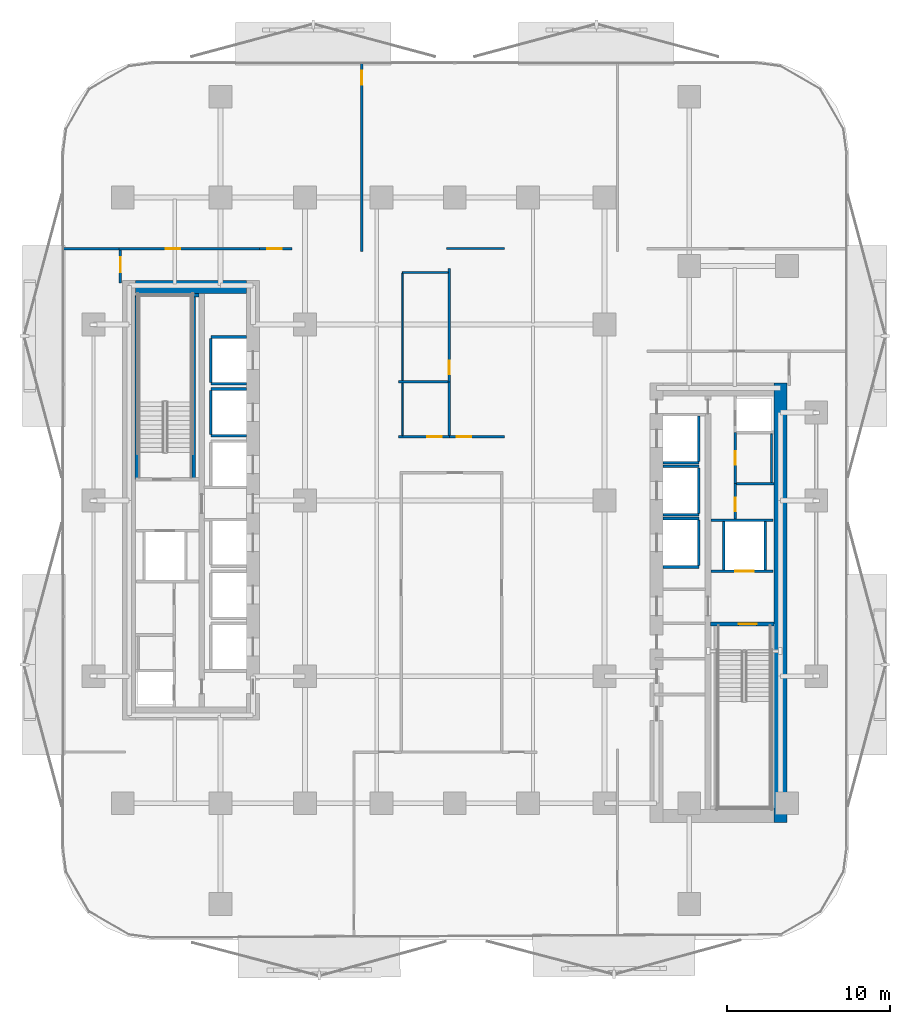
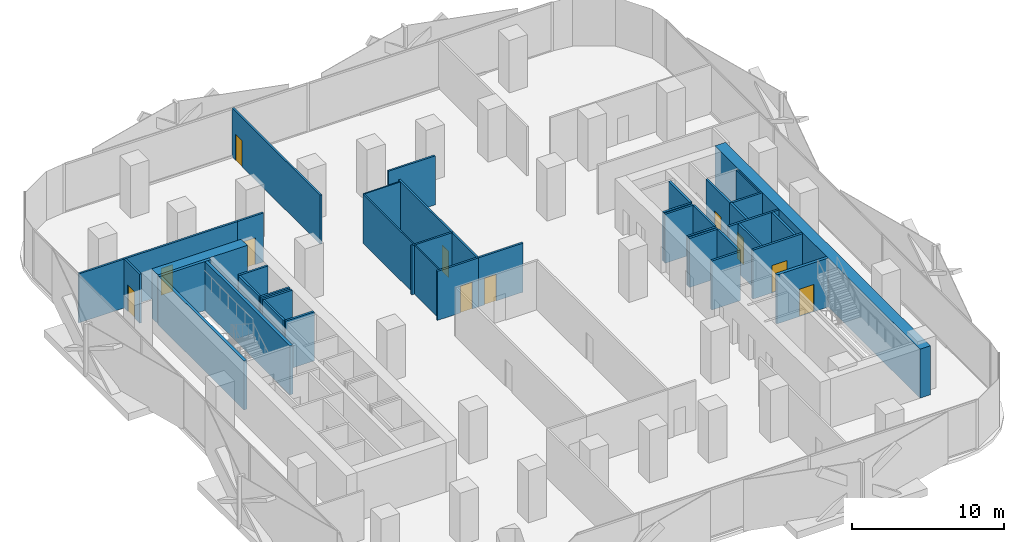
# One storey, part 5 of 16: 42 walls, 11 doors, 11 openings.
"""IFC4 building model written with IfcOpenShell, lengths in metres."""

from ifc_helpers import new_model, si_unit, direction, frame, frame_2d, origin, place, context, subcontext, project, spatial, rectangle, extrude, material, layer, layer_set, type_object, element, fill, save


model = new_model("IFC4")

# Units and contexts
model_context = context("Model", 3, precision=1e-05, world=origin(), true_north=direction((0.0, 1.0)))
body_context = subcontext(model_context, "Body", "Model", "MODEL_VIEW")
ifc_project = project(units=[si_unit("LENGTHUNIT", "METRE"), si_unit("AREAUNIT", "SQUARE_METRE"), si_unit("VOLUMEUNIT", "CUBIC_METRE"), si_unit("PLANEANGLEUNIT", "RADIAN"), si_unit("MASSUNIT", "GRAM", prefix="KILO")], contexts=[model_context])

# Site, building, storey
site_placement = place(None, origin())
site = spatial("IfcSite", under=ifc_project, at=site_placement, CompositionType="ELEMENT")
building_placement = place(site_placement, origin())
building = spatial("IfcBuilding", under=site, at=building_placement, Name="Khairoan Windgate Tower", CompositionType="ELEMENT")
storey_placement = place(building_placement, frame((0.0, 0.0, 42.800048828125)))
storey = spatial("IfcBuildingStorey", under=building, at=storey_placement, Name="L10", CompositionType="ELEMENT", Elevation=42.800048828125)

# Walls
ifc_material_1 = material(Name="Moisture-Resistant Gypsum Partition", Category="gypsum")
ifc_layer_1 = layer(ifc_material_1, 0.10009765625, Name="Moisture-Resistant Gypsum Partition")
ifc_layer_set_1 = layer_set([ifc_layer_1], Name="Moisture-Resistant Gypsum Partition")
wall_type_1 = type_object("IfcWallType", Name="Bathroom Wet-Area Partition Wall", PredefinedType="PARTITIONING", material=ifc_layer_set_1)
wall_1_placement = place(storey_placement, frame((19.449951171875, 4.090087890625, 0.0), z_axis=(0.0, 0.0, 1.0), x_axis=(0.0, -1.0, 0.0)))
element("IfcWall", 1, at=wall_1_placement, inside=storey, type_object=wall_type_1, Name="L10 Wet Room Side Wall 039", PredefinedType="PARTITIONING", context=body_context, shape_type="SweptSolid", body=[
    extrude(rectangle(XDim=2.97998046875, YDim=0.10009765625, at=frame_2d((1.489990234375, 0.0))), origin(), (0.0, 0.0, 1.0), 3.93994140625),
])
wall_2_placement = place(storey_placement, frame((-3.219970703125, 3.97998046875, 0.0), z_axis=(0.0, 0.0, 1.0), x_axis=(0.0, 1.0, 0.0)))
element("IfcWall", 2, at=wall_2_placement, inside=storey, type_object=wall_type_1, Name="L10 Wet Room Side Wall 040", PredefinedType="PARTITIONING", context=body_context, shape_type="SweptSolid", body=[
    extrude(rectangle(XDim=3.22998046875, YDim=0.10009765625, at=frame_2d((1.614990234375, 0.0))), origin(), (0.0, 0.0, 1.0), 3.93994140625),
])
wall_3_placement = place(storey_placement, frame((-3.219970703125, 14.0, 0.0), z_axis=(0.0, 0.0, 1.0), x_axis=(1.0, 0.0, 0.0)))
element("IfcWall", 3, at=wall_3_placement, inside=storey, type_object=wall_type_1, Name="L10 Wet Room Side Wall 041", PredefinedType="PARTITIONING", context=body_context, shape_type="SweptSolid", body=[
    extrude(rectangle(XDim=2.81005859375, YDim=0.10009765625, at=frame_2d((1.405029296875, 0.0))), origin(), (0.0, 0.0, 1.0), 3.93994140625),
])
wall_4_placement = place(storey_placement, frame((-3.219970703125, 7.35009765625, 0.0), z_axis=(0.0, 0.0, 1.0), x_axis=(0.0, 1.0, 0.0)))
element("IfcWall", 4, at=wall_4_placement, inside=storey, type_object=wall_type_1, Name="L10 Wet Room Side Wall 042", PredefinedType="PARTITIONING", context=body_context, shape_type="SweptSolid", body=[
    extrude(rectangle(XDim=6.599853515625, YDim=0.10009765625, at=frame_2d((3.2998046875, 0.0))), origin(), (0.0, 0.0, 1.0), 3.93994140625),
])
ifc_material_2 = material(Name="Concrete C40/50", Category="concrete")
ifc_layer_2 = layer(ifc_material_2, 0.159912109375, Name="Concrete C40/50")
ifc_layer_set_2 = layer_set([ifc_layer_2], Name="Concrete C40/50")
wall_type_2 = type_object("IfcWallType", Name="Core and Hoistway Enclosure Wall", PredefinedType="STANDARD", material=ifc_layer_set_2)
for number, where, z_axis, x_axis, name in (
    (5, (-14.989990234375, 7.159912109375, 0.0), (0.0, 0.0, 1.0), (1.0, 0.0, 0.0), "L10 Lift PL1 Hoistway Divider S"),
    (6, (-14.989990234375, 10.0400390625, 0.0), (0.0, 0.0, 1.0), (1.0, 0.0, 0.0), "L10 Lift PL1 Hoistway Divider N"),
):
    element("IfcWall", number, at=place(storey_placement, frame(where, z_axis=z_axis, x_axis=x_axis)), inside=storey, type_object=wall_type_2, Name=name, PredefinedType="STANDARD", context=body_context, shape_type="SweptSolid", body=[
        extrude(rectangle(XDim=2.18994140625, YDim=0.159912109375, at=frame_2d((1.094970703125, 0.0))), origin(), (0.0, 0.0, 1.0), 3.93994140625),
    ])
wall_5_placement = place(storey_placement, frame((-14.989990234375, 7.25, 0.0), z_axis=(0.0, 0.0, 1.0), x_axis=(0.0, 1.0, 0.0)))
element("IfcWall", 7, at=wall_5_placement, inside=storey, type_object=wall_type_2, Name="L10 Lift PL1 Hoistway Back Wall", PredefinedType="STANDARD", context=body_context, shape_type="SweptSolid", body=[
    extrude(rectangle(XDim=2.699951171875, YDim=0.159912109375, at=frame_2d((1.35009765625, 0.0))), origin(), (0.0, 0.0, 1.0), 3.93994140625),
])
for number, where, z_axis, x_axis, name in (
    (8, (-14.989990234375, 3.9599609375, 0.0), (0.0, 0.0, 1.0), (1.0, 0.0, 0.0), "L10 Lift PL2 Hoistway Divider S"),
    (9, (-14.989990234375, 6.840087890625, 0.0), (0.0, 0.0, 1.0), (1.0, 0.0, 0.0), "L10 Lift PL2 Hoistway Divider N"),
):
    element("IfcWall", number, at=place(storey_placement, frame(where, z_axis=z_axis, x_axis=x_axis)), inside=storey, type_object=wall_type_2, Name=name, PredefinedType="STANDARD", context=body_context, shape_type="SweptSolid", body=[
        extrude(rectangle(XDim=2.18994140625, YDim=0.159912109375, at=frame_2d((1.094970703125, 0.0))), origin(), (0.0, 0.0, 1.0), 3.93994140625),
    ])
wall_6_placement = place(storey_placement, frame((-14.989990234375, 4.050048828125, 0.0), z_axis=(0.0, 0.0, 1.0), x_axis=(0.0, 1.0, 0.0)))
element("IfcWall", 10, at=wall_6_placement, inside=storey, type_object=wall_type_2, Name="L10 Lift PL2 Hoistway Back Wall", PredefinedType="STANDARD", context=body_context, shape_type="SweptSolid", body=[
    extrude(rectangle(XDim=2.699951171875, YDim=0.159912109375, at=frame_2d((1.35009765625, 0.0))), origin(), (0.0, 0.0, 1.0), 3.93994140625),
])
wall_7_placement = place(storey_placement, frame((12.800048828125, 2.31005859375, 0.0), z_axis=(0.0, 0.0, 1.0), x_axis=(1.0, 0.0, 0.0)))
element("IfcWall", 11, at=wall_7_placement, inside=storey, type_object=wall_type_2, Name="L10 Lift PL7 Hoistway Divider S", PredefinedType="STANDARD", context=body_context, shape_type="SweptSolid", body=[
    extrude(rectangle(XDim=2.18994140625, YDim=0.159912109375, at=frame_2d((1.094970703125, 0.0))), origin(), (0.0, 0.0, 1.0), 3.93994140625),
])
wall_8_placement = place(storey_placement, frame((14.989990234375, 2.39990234375, 0.0), z_axis=(0.0, 0.0, 1.0), x_axis=(0.0, 1.0, 0.0)))
element("IfcWall", 12, at=wall_8_placement, inside=storey, type_object=wall_type_2, Name="L10 Lift PL7 Hoistway Back Wall", PredefinedType="STANDARD", context=body_context, shape_type="SweptSolid", body=[
    extrude(rectangle(XDim=2.800048828125, YDim=0.159912109375, at=frame_2d((1.39990234375, 0.0))), origin(), (0.0, 0.0, 1.0), 3.93994140625),
])
for number, where, z_axis, x_axis, name in (
    (13, (12.800048828125, -0.889892578125, 0.0), (0.0, 0.0, 1.0), (1.0, 0.0, 0.0), "L10 Lift PL8 Hoistway Divider S"),
    (14, (12.800048828125, 2.090087890625, 0.0), (0.0, 0.0, 1.0), (1.0, 0.0, 0.0), "L10 Lift PL8 Hoistway Divider N"),
):
    element("IfcWall", number, at=place(storey_placement, frame(where, z_axis=z_axis, x_axis=x_axis)), inside=storey, type_object=wall_type_2, Name=name, PredefinedType="STANDARD", context=body_context, shape_type="SweptSolid", body=[
        extrude(rectangle(XDim=2.18994140625, YDim=0.159912109375, at=frame_2d((1.094970703125, 0.0))), origin(), (0.0, 0.0, 1.0), 3.93994140625),
    ])
wall_9_placement = place(storey_placement, frame((14.989990234375, -0.800048828125, 0.0), z_axis=(0.0, 0.0, 1.0), x_axis=(0.0, 1.0, 0.0)))
element("IfcWall", 15, at=wall_9_placement, inside=storey, type_object=wall_type_2, Name="L10 Lift PL8 Hoistway Back Wall", PredefinedType="STANDARD", context=body_context, shape_type="SweptSolid", body=[
    extrude(rectangle(XDim=2.800048828125, YDim=0.159912109375, at=frame_2d((1.39990234375, 0.0))), origin(), (0.0, 0.0, 1.0), 3.93994140625),
])
for number, where, z_axis, x_axis, name in (
    (16, (12.800048828125, -4.090087890625, 0.0), (0.0, 0.0, 1.0), (1.0, 0.0, 0.0), "L10 Lift PL9 Hoistway Divider S"),
    (17, (12.800048828125, -1.110107421875, 0.0), (0.0, 0.0, 1.0), (1.0, 0.0, 0.0), "L10 Lift PL9 Hoistway Divider N"),
):
    element("IfcWall", number, at=place(storey_placement, frame(where, z_axis=z_axis, x_axis=x_axis)), inside=storey, type_object=wall_type_2, Name=name, PredefinedType="STANDARD", context=body_context, shape_type="SweptSolid", body=[
        extrude(rectangle(XDim=2.18994140625, YDim=0.159912109375, at=frame_2d((1.094970703125, 0.0))), origin(), (0.0, 0.0, 1.0), 3.93994140625),
    ])
wall_10_placement = place(storey_placement, frame((14.989990234375, -4.0, 0.0), z_axis=(0.0, 0.0, 1.0), x_axis=(0.0, 1.0, 0.0)))
element("IfcWall", 18, at=wall_10_placement, inside=storey, type_object=wall_type_2, Name="L10 Lift PL9 Hoistway Back Wall", PredefinedType="STANDARD", context=body_context, shape_type="SweptSolid", body=[
    extrude(rectangle(XDim=2.800048828125, YDim=0.159912109375, at=frame_2d((1.39990234375, 0.0))), origin(), (0.0, 0.0, 1.0), 3.93994140625),
])

# Wall, opening, door
wall_11_placement = place(storey_placement, frame((15.75, -4.360107421875, 0.0), z_axis=(0.0, 0.0, 1.0), x_axis=(1.0, 0.0, 0.0)))
wall_11 = element("IfcWall", 19, at=wall_11_placement, inside=storey, type_object=wall_type_2, Name="L10 Core Shaft Wall SW-FL1-L10", PredefinedType="STANDARD", context=body_context, shape_type="SweptSolid", body=[
    extrude(rectangle(XDim=3.800048828125, YDim=0.159912109375, at=frame_2d((1.89990234375, 0.0))), origin(), (0.0, 0.0, 1.0), 3.93994140625),
])
opening_1_placement = place(wall_11_placement, frame((1.469970703125, 0.0, 0.0)))
opening_1 = element("IfcOpeningElement", 20, at=opening_1_placement, cuts=wall_11, Name="Opening LD-FL", PredefinedType="OPENING", context=body_context, shape_type="SweptSolid", body=[
    extrude(rectangle(XDim=1.14990234375, YDim=2.199951171875, at=frame_2d((0.574951171875, 1.10009765625))), frame((0.0, 0.08984375, 0.0), z_axis=(0.0, -1.0, 0.0), x_axis=(1.0, 0.0, 0.0)), (0.0, 0.0, 1.0), 0.179931640625),
])
ifc_material_3 = material(Name="Steel S355", Category="steel")
door_type_1 = type_object("IfcDoorType", Name="Firefighting Lift Sliding Landing Door LD-FL 1150x2200", OperationType="DOUBLE_DOOR_SLIDING", PredefinedType="DOOR", material=ifc_material_3)
door_1_placement = place(opening_1_placement, origin())
door_1 = element("IfcDoor", 21, at=door_1_placement, inside=storey, type_object=door_type_1, Name="L10 Firefighting Lift FL1 Landing Door", OperationType="DOUBLE_DOOR_SLIDING", OverallHeight=2.199951171875, OverallWidth=1.14990234375, PredefinedType="DOOR", context=body_context, shape_type="SweptSolid", body=[
    extrude(rectangle(XDim=1.14990234375, YDim=2.199951171875, at=frame_2d((0.574951171875, 1.10009765625))), frame((0.0, 0.02490234375, 0.0), z_axis=(0.0, -1.0, 0.0), x_axis=(1.0, 0.0, 0.0)), (0.0, 0.0, 1.0), 0.050048828125),
])
fill(opening_1, door_1)

# Walls
wall_12_placement = place(storey_placement, frame((15.75, -1.219970703125, 0.0), z_axis=(0.0, 0.0, 1.0), x_axis=(1.0, 0.0, 0.0)))
element("IfcWall", 22, at=wall_12_placement, inside=storey, type_object=wall_type_2, Name="L10 Core Shaft Wall SW-FL1T-L10", PredefinedType="STANDARD", context=body_context, shape_type="SweptSolid", body=[
    extrude(rectangle(XDim=3.800048828125, YDim=0.159912109375, at=frame_2d((1.89990234375, 0.0))), origin(), (0.0, 0.0, 1.0), 3.93994140625),
])
for number, where, z_axis, x_axis, name in (
    (23, (16.52001953125, -4.280029296875, 0.0), (0.0, 0.0, 1.0), (0.0, 1.0, 0.0), "L10 Core Shaft Wall SW-FL1W-L10"),
    (24, (19.080078125, -4.280029296875, 0.0), (0.0, 0.0, 1.0), (0.0, 1.0, 0.0), "L10 Core Shaft Wall SW-FL1E-L10"),
):
    element("IfcWall", number, at=place(storey_placement, frame(where, z_axis=z_axis, x_axis=x_axis)), inside=storey, type_object=wall_type_2, Name=name, PredefinedType="STANDARD", context=body_context, shape_type="SweptSolid", body=[
        extrude(rectangle(XDim=2.97998046875, YDim=0.159912109375, at=frame_2d((1.489990234375, 0.0))), origin(), (0.0, 0.0, 1.0), 3.93994140625),
    ])
ifc_material_4 = material(Name="Acoustic Fire-Rated Gypsum Partition", Category="gypsum")
ifc_layer_3 = layer(ifc_material_4, 0.139892578125, Name="Acoustic Fire-Rated Gypsum Partition")
ifc_layer_set_3 = layer_set([ifc_layer_3], Name="Acoustic Fire-Rated Gypsum Partition")
wall_type_3 = type_object("IfcWallType", Name="Inter-Tenancy Compartment Wall", PredefinedType="PARTITIONING", material=ifc_layer_set_3)
wall_13_placement = place(storey_placement, frame((-24.054931640625, 15.4599609375, 0.0), z_axis=(0.0, 0.0, 1.0), x_axis=(1.0, 0.0, 0.0)))
element("IfcWall", 25, at=wall_13_placement, inside=storey, type_object=wall_type_3, Name="L10 Interior Partition 025", PredefinedType="PARTITIONING", context=body_context, shape_type="SweptSolid", body=[
    extrude(rectangle(XDim=3.4150390625, YDim=0.139892578125, at=frame_2d((1.70751953125, 0.0))), origin(), (0.0, 0.0, 1.0), 3.93994140625),
])

# Wall, opening, door
wall_14_placement = place(storey_placement, frame((-5.7119140625, 15.280029296875, 0.0), z_axis=(0.0, 0.0, 1.0), x_axis=(0.0, 1.0, 0.0)))
wall_14 = element("IfcWall", 26, at=wall_14_placement, inside=storey, type_object=wall_type_3, Name="L10 Interior Partition 029", PredefinedType="PARTITIONING", context=body_context, shape_type="SweptSolid", body=[
    extrude(rectangle(XDim=11.574951171875, YDim=0.139892578125, at=frame_2d((5.78759765625, 0.0))), origin(), (0.0, 0.0, 1.0), 3.93994140625),
])
opening_2_placement = place(wall_14_placement, frame((10.264892578125, 0.0, 0.0)))
opening_2 = element("IfcOpeningElement", 27, at=opening_2_placement, cuts=wall_14, Name="Opening FD-SRV", PredefinedType="OPENING", context=body_context, shape_type="SweptSolid", body=[
    extrude(rectangle(XDim=0.85009765625, YDim=2.10009765625, at=frame_2d((0.425048828125, 1.050048828125))), frame((0.0, 0.079833984375, 0.0), z_axis=(0.0, -1.0, 0.0), x_axis=(1.0, 0.0, 0.0)), (0.0, 0.0, 1.0), 0.159912109375),
])
ifc_material_5 = material(Name="Steel S355", Category="steel")
door_type_2 = type_object("IfcDoorType", Name="Core Service and Riser Fire Door FD-SRV 850x2100", OperationType="NOTDEFINED", PredefinedType="DOOR", material=ifc_material_5)
door_2_placement = place(opening_2_placement, origin())
door_2 = element("IfcDoor", 28, at=door_2_placement, inside=storey, type_object=door_type_2, Name="L10 L10-41-L10-42 Door", OperationType="SINGLE_SWING_LEFT", OverallHeight=2.10009765625, OverallWidth=0.85009765625, PredefinedType="DOOR", context=body_context, shape_type="SweptSolid", body=[
    extrude(rectangle(XDim=0.85009765625, YDim=2.10009765625, at=frame_2d((0.425048828125, 1.050048828125))), frame((0.0, 0.02490234375, 0.0), z_axis=(0.0, -1.0, 0.0), x_axis=(1.0, 0.0, 0.0)), (0.0, 0.0, 1.0), 0.050048828125),
])
fill(opening_2, door_2)

# Walls
wall_15_placement = place(storey_placement, frame((-0.5, 15.47998046875, 0.0), z_axis=(0.0, 0.0, 1.0), x_axis=(1.0, 0.0, 0.0)))
element("IfcWall", 29, at=wall_15_placement, inside=storey, type_object=wall_type_3, Name="L10 Interior Partition 031", PredefinedType="PARTITIONING", context=body_context, shape_type="SweptSolid", body=[
    extrude(rectangle(XDim=3.56005859375, YDim=0.139892578125, at=frame_2d((1.780029296875, 0.0))), origin(), (0.0, 0.0, 1.0), 3.93994140625),
])
wall_16_placement = place(storey_placement, frame((-3.4599609375, 7.280029296875, 0.0), z_axis=(0.0, 0.0, 1.0), x_axis=(1.0, 0.0, 0.0)))
element("IfcWall", 30, at=wall_16_placement, inside=storey, type_object=wall_type_3, Name="L10 Interior Partition 035", PredefinedType="PARTITIONING", context=body_context, shape_type="SweptSolid", body=[
    extrude(rectangle(XDim=3.050048828125, YDim=0.139892578125, at=frame_2d((1.52490234375, 0.0))), origin(), (0.0, 0.0, 1.0), 3.93994140625),
])
wall_17_placement = place(storey_placement, frame((-0.340087890625, 3.97998046875, 0.0), z_axis=(0.0, 0.0, 1.0), x_axis=(0.0, 1.0, 0.0)))
element("IfcWall", 31, at=wall_17_placement, inside=storey, type_object=wall_type_3, Name="L10 Interior Partition 036", PredefinedType="PARTITIONING", context=body_context, shape_type="SweptSolid", body=[
    extrude(rectangle(XDim=3.300048828125, YDim=0.139892578125, at=frame_2d((1.64990234375, 0.0))), origin(), (0.0, 0.0, 1.0), 3.93994140625),
])

# Wall, opening, door
wall_18_placement = place(storey_placement, frame((-0.340087890625, 7.280029296875, 0.0), z_axis=(0.0, 0.0, 1.0), x_axis=(0.0, 1.0, 0.0)))
wall_18 = element("IfcWall", 32, at=wall_18_placement, inside=storey, type_object=wall_type_3, Name="L10 Interior Partition 037", PredefinedType="PARTITIONING", context=body_context, shape_type="SweptSolid", body=[
    extrude(rectangle(XDim=6.9599609375, YDim=0.139892578125, at=frame_2d((3.47998046875, 0.0))), origin(), (0.0, 0.0, 1.0), 3.93994140625),
])
opening_3_placement = place(wall_18_placement, frame((0.4599609375, 0.0, 0.0)))
opening_3 = element("IfcOpeningElement", 33, at=opening_3_placement, cuts=wall_18, Name="Opening FD-SRV", PredefinedType="OPENING", context=body_context, shape_type="SweptSolid", body=[
    extrude(rectangle(XDim=0.85009765625, YDim=2.10009765625, at=frame_2d((0.425048828125, 1.050048828125))), frame((0.0, 0.079833984375, 0.0), z_axis=(0.0, -1.0, 0.0), x_axis=(1.0, 0.0, 0.0)), (0.0, 0.0, 1.0), 0.159912109375),
])
door_3_placement = place(opening_3_placement, origin())
door_3 = element("IfcDoor", 34, at=door_3_placement, inside=storey, type_object=door_type_2, Name="L10 L10-48-L10-49 Door", OperationType="SINGLE_SWING_RIGHT", OverallHeight=2.10009765625, OverallWidth=0.85009765625, PredefinedType="DOOR", context=body_context, shape_type="SweptSolid", body=[
    extrude(rectangle(XDim=0.85009765625, YDim=2.10009765625, at=frame_2d((0.425048828125, 1.050048828125))), frame((0.0, 0.02490234375, 0.0), z_axis=(0.0, -1.0, 0.0), x_axis=(1.0, 0.0, 0.0)), (0.0, 0.0, 1.0), 0.050048828125),
])
fill(opening_3, door_3)

ifc_material_6 = material(Name="Concrete C40/50", Category="concrete")
ifc_layer_4 = layer(ifc_material_6, 0.159912109375, Name="Concrete C40/50")
ifc_layer_set_4 = layer_set([ifc_layer_4], Name="Concrete C40/50")
wall_type_4 = type_object("IfcWallType", Name="Plant and Refuge Compartment Wall", PredefinedType="PARTITIONING", material=ifc_layer_set_4)
wall_19_placement = place(storey_placement, frame((17.22998046875, -1.139892578125, 0.0), z_axis=(0.0, 0.0, 1.0), x_axis=(0.0, 1.0, 0.0)))
wall_19 = element("IfcWall", 35, at=wall_19_placement, inside=storey, type_object=wall_type_4, Name="L10 Interior Partition 007", PredefinedType="PARTITIONING", context=body_context, shape_type="SweptSolid", body=[
    extrude(rectangle(XDim=2.169921875, YDim=0.159912109375, at=frame_2d((1.0849609375, 0.0))), origin(), (0.0, 0.0, 1.0), 3.93994140625),
])
opening_4_placement = place(wall_19_placement, frame((0.4599609375, 0.0, 0.0)))
opening_4 = element("IfcOpeningElement", 36, at=opening_4_placement, cuts=wall_19, Name="Opening FD-SRV", PredefinedType="OPENING", context=body_context, shape_type="SweptSolid", body=[
    extrude(rectangle(XDim=0.85009765625, YDim=2.10009765625, at=frame_2d((0.425048828125, 1.050048828125))), frame((0.0, 0.08984375, 0.0), z_axis=(0.0, -1.0, 0.0), x_axis=(1.0, 0.0, 0.0)), (0.0, 0.0, 1.0), 0.179931640625),
])
door_4_placement = place(opening_4_placement, origin())
door_4 = element("IfcDoor", 37, at=door_4_placement, inside=storey, type_object=door_type_2, Name="L10 L10-19-L10-21 Door", OperationType="SINGLE_SWING_RIGHT", OverallHeight=2.10009765625, OverallWidth=0.85009765625, PredefinedType="DOOR", context=body_context, shape_type="SweptSolid", body=[
    extrude(rectangle(XDim=0.85009765625, YDim=2.10009765625, at=frame_2d((0.425048828125, 1.050048828125))), frame((0.0, 0.02490234375, 0.0), z_axis=(0.0, -1.0, 0.0), x_axis=(1.0, 0.0, 0.0)), (0.0, 0.0, 1.0), 0.050048828125),
])
fill(opening_4, door_4)

wall_20_placement = place(storey_placement, frame((17.22998046875, 1.030029296875, 0.0), z_axis=(0.0, 0.0, 1.0), x_axis=(0.0, 1.0, 0.0)))
wall_20 = element("IfcWall", 38, at=wall_20_placement, inside=storey, type_object=wall_type_4, Name="L10 Interior Partition 008", PredefinedType="PARTITIONING", context=body_context, shape_type="SweptSolid", body=[
    extrude(rectangle(XDim=3.139892578125, YDim=0.159912109375, at=frame_2d((1.56982421875, 0.0))), origin(), (0.0, 0.0, 1.0), 3.93994140625),
])
opening_5_placement = place(wall_20_placement, frame((1.14501953125, 0.0, 0.0)))
opening_5 = element("IfcOpeningElement", 39, at=opening_5_placement, cuts=wall_20, Name="Opening FD-SRV", PredefinedType="OPENING", context=body_context, shape_type="SweptSolid", body=[
    extrude(rectangle(XDim=0.85009765625, YDim=2.10009765625, at=frame_2d((0.425048828125, 1.050048828125))), frame((0.0, 0.08984375, 0.0), z_axis=(0.0, -1.0, 0.0), x_axis=(1.0, 0.0, 0.0)), (0.0, 0.0, 1.0), 0.179931640625),
])
door_5_placement = place(opening_5_placement, origin())
door_5 = element("IfcDoor", 40, at=door_5_placement, inside=storey, type_object=door_type_2, Name="L10 L10-19-L10-22 Door", OperationType="SINGLE_SWING_LEFT", OverallHeight=2.10009765625, OverallWidth=0.85009765625, PredefinedType="DOOR", context=body_context, shape_type="SweptSolid", body=[
    extrude(rectangle(XDim=0.85009765625, YDim=2.10009765625, at=frame_2d((0.425048828125, 1.050048828125))), frame((0.0, 0.02490234375, 0.0), z_axis=(0.0, -1.0, 0.0), x_axis=(1.0, 0.0, 0.0)), (0.0, 0.0, 1.0), 0.050048828125),
])
fill(opening_5, door_5)

# Wall
wall_21_placement = place(storey_placement, frame((17.31005859375, 1.030029296875, 0.0), z_axis=(0.0, 0.0, 1.0), x_axis=(1.0, 0.0, 0.0)))
element("IfcWall", 41, at=wall_21_placement, inside=storey, type_object=wall_type_4, Name="L10 Interior Partition 010", PredefinedType="PARTITIONING", context=body_context, shape_type="SweptSolid", body=[
    extrude(rectangle(XDim=2.2900390625, YDim=0.159912109375, at=frame_2d((1.14501953125, 0.0))), origin(), (0.0, 0.0, 1.0), 3.93994140625),
])

# Wall, opening, door
ifc_material_7 = material(Name="Acoustic Fire-Rated Gypsum Partition", Category="gypsum")
ifc_layer_5 = layer(ifc_material_7, 0.14990234375, Name="Acoustic Fire-Rated Gypsum Partition")
ifc_layer_set_5 = layer_set([ifc_layer_5], Name="Acoustic Fire-Rated Gypsum Partition")
wall_type_5 = type_object("IfcWallType", Name="Rated Corridor Partition Wall", PredefinedType="PARTITIONING", material=ifc_layer_set_5)
wall_22_placement = place(storey_placement, frame((-11.989990234375, 15.4599609375, 0.0), z_axis=(0.0, 0.0, 1.0), x_axis=(1.0, 0.0, 0.0)))
wall_22 = element("IfcWall", 42, at=wall_22_placement, inside=storey, type_object=wall_type_5, Name="L10 Interior Partition 013", PredefinedType="PARTITIONING", context=body_context, shape_type="SweptSolid", body=[
    extrude(rectangle(XDim=1.97998046875, YDim=0.14990234375, at=frame_2d((0.989990234375, 0.0))), origin(), (0.0, 0.0, 1.0), 3.93994140625),
])
opening_6_placement = place(wall_22_placement, frame((0.4599609375, 0.0, 0.0)))
opening_6 = element("IfcOpeningElement", 43, at=opening_6_placement, cuts=wall_22, Name="Opening FD-ENT", PredefinedType="OPENING", context=body_context, shape_type="SweptSolid", body=[
    extrude(rectangle(XDim=0.89990234375, YDim=2.14990234375, at=frame_2d((0.449951171875, 1.074951171875))), frame((0.0, 0.0849609375, 0.0), z_axis=(0.0, -1.0, 0.0), x_axis=(1.0, 0.0, 0.0)), (0.0, 0.0, 1.0), 0.169921875),
])
ifc_material_8 = material(Name="Timber Fire-Rated Core", Category="wood")
door_type_3 = type_object("IfcDoorType", Name="Unit and Office Fire Entrance Door FD-ENT 900x2150", OperationType="NOTDEFINED", PredefinedType="DOOR", material=ifc_material_8)
door_6_placement = place(opening_6_placement, origin())
door_6 = element("IfcDoor", 44, at=door_6_placement, inside=storey, type_object=door_type_3, Name="L10 L10-31-L10-41 Door", OperationType="SINGLE_SWING_RIGHT", OverallHeight=2.14990234375, OverallWidth=0.89990234375, PredefinedType="DOOR", context=body_context, shape_type="SweptSolid", body=[
    extrude(rectangle(XDim=0.89990234375, YDim=2.14990234375, at=frame_2d((0.449951171875, 1.074951171875))), frame((0.0, 0.02490234375, 0.0), z_axis=(0.0, -1.0, 0.0), x_axis=(1.0, 0.0, 0.0)), (0.0, 0.0, 1.0), 0.050048828125),
])
fill(opening_6, door_6)

wall_23_placement = place(storey_placement, frame((-3.4599609375, 3.905029296875, 0.0), z_axis=(0.0, 0.0, 1.0), x_axis=(1.0, 0.0, 0.0)))
wall_23 = element("IfcWall", 45, at=wall_23_placement, inside=storey, type_object=wall_type_5, Name="L10 Interior Partition 014", PredefinedType="PARTITIONING", context=body_context, shape_type="SweptSolid", body=[
    extrude(rectangle(XDim=3.119873046875, YDim=0.14990234375, at=frame_2d((1.56005859375, 0.0))), origin(), (0.0, 0.0, 1.0), 3.93994140625),
])
opening_7_placement = place(wall_23_placement, frame((1.760009765625, 0.0, 0.0)))
opening_7 = element("IfcOpeningElement", 46, at=opening_7_placement, cuts=wall_23, Name="Opening FD-ENT", PredefinedType="OPENING", context=body_context, shape_type="SweptSolid", body=[
    extrude(rectangle(XDim=0.89990234375, YDim=2.14990234375, at=frame_2d((0.449951171875, 1.074951171875))), frame((0.0, 0.0849609375, 0.0), z_axis=(0.0, -1.0, 0.0), x_axis=(1.0, 0.0, 0.0)), (0.0, 0.0, 1.0), 0.169921875),
])
door_7_placement = place(opening_7_placement, origin())
door_7 = element("IfcDoor", 47, at=door_7_placement, inside=storey, type_object=door_type_3, Name="L10 L10-33-L10-47 Door", OperationType="SINGLE_SWING_LEFT", OverallHeight=2.14990234375, OverallWidth=0.89990234375, PredefinedType="DOOR", context=body_context, shape_type="SweptSolid", body=[
    extrude(rectangle(XDim=0.89990234375, YDim=2.14990234375, at=frame_2d((0.449951171875, 1.074951171875))), frame((0.0, 0.02490234375, 0.0), z_axis=(0.0, -1.0, 0.0), x_axis=(1.0, 0.0, 0.0)), (0.0, 0.0, 1.0), 0.050048828125),
])
fill(opening_7, door_7)

wall_24_placement = place(storey_placement, frame((-0.340087890625, 3.905029296875, 0.0), z_axis=(0.0, 0.0, 1.0), x_axis=(1.0, 0.0, 0.0)))
wall_24 = element("IfcWall", 48, at=wall_24_placement, inside=storey, type_object=wall_type_5, Name="L10 Interior Partition 015", PredefinedType="PARTITIONING", context=body_context, shape_type="SweptSolid", body=[
    extrude(rectangle(XDim=3.400146484375, YDim=0.14990234375, at=frame_2d((1.7001953125, 0.0))), origin(), (0.0, 0.0, 1.0), 3.93994140625),
])
opening_8_placement = place(wall_24_placement, frame((0.4599609375, 0.0, 0.0)))
opening_8 = element("IfcOpeningElement", 49, at=opening_8_placement, cuts=wall_24, Name="Opening FD-ENT", PredefinedType="OPENING", context=body_context, shape_type="SweptSolid", body=[
    extrude(rectangle(XDim=0.89990234375, YDim=2.14990234375, at=frame_2d((0.449951171875, 1.074951171875))), frame((0.0, 0.0849609375, 0.0), z_axis=(0.0, -1.0, 0.0), x_axis=(1.0, 0.0, 0.0)), (0.0, 0.0, 1.0), 0.169921875),
])
door_8_placement = place(opening_8_placement, origin())
door_8 = element("IfcDoor", 50, at=door_8_placement, inside=storey, type_object=door_type_3, Name="L10 L10-33-L10-49 Door", OperationType="SINGLE_SWING_RIGHT", OverallHeight=2.14990234375, OverallWidth=0.89990234375, PredefinedType="DOOR", context=body_context, shape_type="SweptSolid", body=[
    extrude(rectangle(XDim=0.89990234375, YDim=2.14990234375, at=frame_2d((0.449951171875, 1.074951171875))), frame((0.0, 0.02490234375, 0.0), z_axis=(0.0, -1.0, 0.0), x_axis=(1.0, 0.0, 0.0)), (0.0, 0.0, 1.0), 0.050048828125),
])
fill(opening_8, door_8)

wall_25_placement = place(storey_placement, frame((-20.5400390625, 13.360107421875, 0.0), z_axis=(0.0, 0.0, 1.0), x_axis=(0.0, 1.0, 0.0)))
wall_25 = element("IfcWall", 51, at=wall_25_placement, inside=storey, type_object=wall_type_5, Name="L10 Interior Partition 021", PredefinedType="PARTITIONING", context=body_context, shape_type="SweptSolid", body=[
    extrude(rectangle(XDim=2.02490234375, YDim=0.14990234375, at=frame_2d((1.012451171875, 0.0))), origin(), (0.0, 0.0, 1.0), 3.93994140625),
])
opening_9_placement = place(wall_25_placement, frame((0.6650390625, 0.0, 0.0)))
opening_9 = element("IfcOpeningElement", 52, at=opening_9_placement, cuts=wall_25, Name="Opening FD-ENT", PredefinedType="OPENING", context=body_context, shape_type="SweptSolid", body=[
    extrude(rectangle(XDim=0.89990234375, YDim=2.14990234375, at=frame_2d((0.449951171875, 1.074951171875))), frame((0.0, 0.0849609375, 0.0), z_axis=(0.0, -1.0, 0.0), x_axis=(1.0, 0.0, 0.0)), (0.0, 0.0, 1.0), 0.169921875),
])
door_9_placement = place(opening_9_placement, origin())
door_9 = element("IfcDoor", 53, at=door_9_placement, inside=storey, type_object=door_type_3, Name="L10 L10-36-L10-38 Door", OperationType="SINGLE_SWING_RIGHT", OverallHeight=2.14990234375, OverallWidth=0.89990234375, PredefinedType="DOOR", context=body_context, shape_type="SweptSolid", body=[
    extrude(rectangle(XDim=0.89990234375, YDim=2.14990234375, at=frame_2d((0.449951171875, 1.074951171875))), frame((0.0, 0.02490234375, 0.0), z_axis=(0.0, -1.0, 0.0), x_axis=(1.0, 0.0, 0.0)), (0.0, 0.0, 1.0), 0.050048828125),
])
fill(opening_9, door_9)

wall_26_placement = place(storey_placement, frame((-20.639892578125, 15.4599609375, 0.0), z_axis=(0.0, 0.0, 1.0), x_axis=(1.0, 0.0, 0.0)))
wall_26 = element("IfcWall", 54, at=wall_26_placement, inside=storey, type_object=wall_type_5, Name="L10 Interior Partition 022", PredefinedType="PARTITIONING", context=body_context, shape_type="SweptSolid", body=[
    extrude(rectangle(XDim=8.64990234375, YDim=0.14990234375, at=frame_2d((4.324951171875, 0.0))), origin(), (0.0, 0.0, 1.0), 3.93994140625),
])
opening_10_placement = place(wall_26_placement, frame((2.87060546875, 0.0, 0.0)))
opening_10 = element("IfcOpeningElement", 55, at=opening_10_placement, cuts=wall_26, Name="Opening FD-ENT", PredefinedType="OPENING", context=body_context, shape_type="SweptSolid", body=[
    extrude(rectangle(XDim=0.89990234375, YDim=2.14990234375, at=frame_2d((0.449951171875, 1.074951171875))), frame((0.0, 0.0849609375, 0.0), z_axis=(0.0, -1.0, 0.0), x_axis=(1.0, 0.0, 0.0)), (0.0, 0.0, 1.0), 0.169921875),
])
door_10_placement = place(opening_10_placement, origin())
door_10 = element("IfcDoor", 56, at=door_10_placement, inside=storey, type_object=door_type_3, Name="L10 L10-36-L10-41 Door", OperationType="SINGLE_SWING_LEFT", OverallHeight=2.14990234375, OverallWidth=0.89990234375, PredefinedType="DOOR", context=body_context, shape_type="SweptSolid", body=[
    extrude(rectangle(XDim=0.89990234375, YDim=2.14990234375, at=frame_2d((0.449951171875, 1.074951171875))), frame((0.0, 0.02490234375, 0.0), z_axis=(0.0, -1.0, 0.0), x_axis=(1.0, 0.0, 0.0)), (0.0, 0.0, 1.0), 0.050048828125),
])
fill(opening_10, door_10)

# Walls
ifc_material_9 = material(Name="Concrete C70/85", Category="concrete")
ifc_layer_6 = layer(ifc_material_9, 0.800048828125, Name="Concrete C70/85")
ifc_layer_set_6 = layer_set([ifc_layer_6], Name="Concrete C70/85")
wall_type_6 = type_object("IfcWallType", Name="Shear Wall CW-E1 800mm", PredefinedType="SHEAR", material=ifc_layer_set_6)
wall_27_placement = place(storey_placement, frame((20.0, -19.800048828125, 0.0), z_axis=(0.0, 0.0, 1.0), x_axis=(0.0, 1.0, 0.0)))
element("IfcWall", 57, at=wall_27_placement, inside=storey, type_object=wall_type_6, Name="E Core East Shear Wall L10", PredefinedType="SHEAR", context=body_context, shape_type="SweptSolid", body=[
    extrude(rectangle(XDim=27.0, YDim=0.800048828125, at=frame_2d((13.5, 0.0))), origin(), (0.0, 0.0, 1.0), 3.93994140625),
])
ifc_material_10 = material(Name="Concrete C70/85", Category="concrete")
ifc_layer_7 = layer(ifc_material_10, 0.800048828125, Name="Concrete C70/85")
ifc_layer_set_7 = layer_set([ifc_layer_7], Name="Concrete C70/85")
wall_type_7 = type_object("IfcWallType", Name="Shear Wall CW-W1 800mm", PredefinedType="SHEAR", material=ifc_layer_set_7)
wall_28_placement = place(storey_placement, frame((-19.60009765625, 13.10009765625, 0.0), z_axis=(0.0, 0.0, 1.0), x_axis=(1.0, 0.0, 0.0)))
element("IfcWall", 58, at=wall_28_placement, inside=storey, type_object=wall_type_7, Name="W Core North Shear Wall L10", PredefinedType="SHEAR", context=body_context, shape_type="SweptSolid", body=[
    extrude(rectangle(XDim=6.800048828125, YDim=0.800048828125, at=frame_2d((3.39990234375, 0.0))), origin(), (0.0, 0.0, 1.0), 3.93994140625),
])

# Wall, opening, door
ifc_material_11 = material(Name="Concrete C50/60", Category="concrete")
ifc_layer_8 = layer(ifc_material_11, 0.219970703125, Name="Concrete C50/60")
ifc_layer_set_8 = layer_set([ifc_layer_8], Name="Concrete C50/60")
wall_type_8 = type_object("IfcWallType", Name="Shear Wall SW-ST 220mm", PredefinedType="SHEAR", material=ifc_layer_set_8)
wall_29_placement = place(storey_placement, frame((19.6201171875, -7.590087890625, 0.0), z_axis=(0.0, 0.0, 1.0), x_axis=(-1.0, 0.0, 0.0)))
wall_29 = element("IfcWall", 59, at=wall_29_placement, inside=storey, type_object=wall_type_8, Name="L10 Stair ST1 North Bearing Wall", PredefinedType="SHEAR", context=body_context, shape_type="SweptSolid", body=[
    extrude(rectangle(XDim=3.9150390625, YDim=0.219970703125, at=frame_2d((1.95751953125, 0.0))), origin(), (0.0, 0.0, 1.0), 3.93994140625),
])
opening_11_placement = place(wall_29_placement, frame((1.080078125, 0.0, 0.0)))
opening_11 = element("IfcOpeningElement", 60, at=opening_11_placement, cuts=wall_29, Name="Opening FD-ST", PredefinedType="OPENING", context=body_context, shape_type="SweptSolid", body=[
    extrude(rectangle(XDim=1.10009765625, YDim=2.199951171875, at=frame_2d((0.550048828125, 1.10009765625))), frame((0.0, 0.119873046875, 0.0), z_axis=(0.0, -1.0, 0.0), x_axis=(1.0, 0.0, 0.0)), (0.0, 0.0, 1.0), 0.239990234375),
])
ifc_material_12 = material(Name="Steel S355", Category="steel")
door_type_4 = type_object("IfcDoorType", Name="Smokeproof Stair Fire Door FD-ST 1100x2200", OperationType="NOTDEFINED", PredefinedType="DOOR", material=ifc_material_12)
door_11_placement = place(opening_11_placement, origin())
door_11 = element("IfcDoor", 61, at=door_11_placement, inside=storey, type_object=door_type_4, Name="L10 Stair ST1 Fire Door", OperationType="SINGLE_SWING_LEFT", OverallHeight=2.199951171875, OverallWidth=1.10009765625, PredefinedType="DOOR", context=body_context, shape_type="SweptSolid", body=[
    extrude(rectangle(XDim=1.10009765625, YDim=2.199951171875, at=frame_2d((0.550048828125, 1.10009765625))), frame((0.0, 0.02490234375, 0.0), z_axis=(0.0, -1.0, 0.0), x_axis=(1.0, 0.0, 0.0)), (0.0, 0.0, 1.0), 0.050048828125),
])
fill(opening_11, door_11)

# Walls
for number, where, z_axis, x_axis, name in (
    (62, (-16.0400390625, 1.2900390625, 0.0), (0.0, 0.0, 1.0), (0.0, 1.0, 0.0), "L10 Stair ST2 East Bearing Wall"),
    (63, (-19.530029296875, 1.2900390625, 0.0), (0.0, 0.0, 1.0), (0.0, 1.0, 0.0), "L10 Stair ST2 West Bearing Wall"),
):
    element("IfcWall", number, at=place(storey_placement, frame(where, z_axis=z_axis, x_axis=x_axis)), inside=storey, type_object=wall_type_8, Name=name, PredefinedType="SHEAR", context=body_context, shape_type="SweptSolid", body=[
        extrude(rectangle(XDim=11.300048828125, YDim=0.219970703125, at=frame_2d((5.64990234375, 0.0))), origin(), (0.0, 0.0, 1.0), 3.93994140625),
    ])
wall_30_placement = place(storey_placement, frame((-19.6201171875, 12.590087890625, 0.0), z_axis=(0.0, 0.0, 1.0), x_axis=(1.0, 0.0, 0.0)))
element("IfcWall", 64, at=wall_30_placement, inside=storey, type_object=wall_type_8, Name="L10 Stair ST2 North Bearing Wall", PredefinedType="SHEAR", context=body_context, shape_type="SweptSolid", body=[
    extrude(rectangle(XDim=3.9150390625, YDim=0.219970703125, at=frame_2d((1.95751953125, 0.0))), origin(), (0.0, 0.0, 1.0), 3.93994140625),
])

save(model, "model.ifc")
